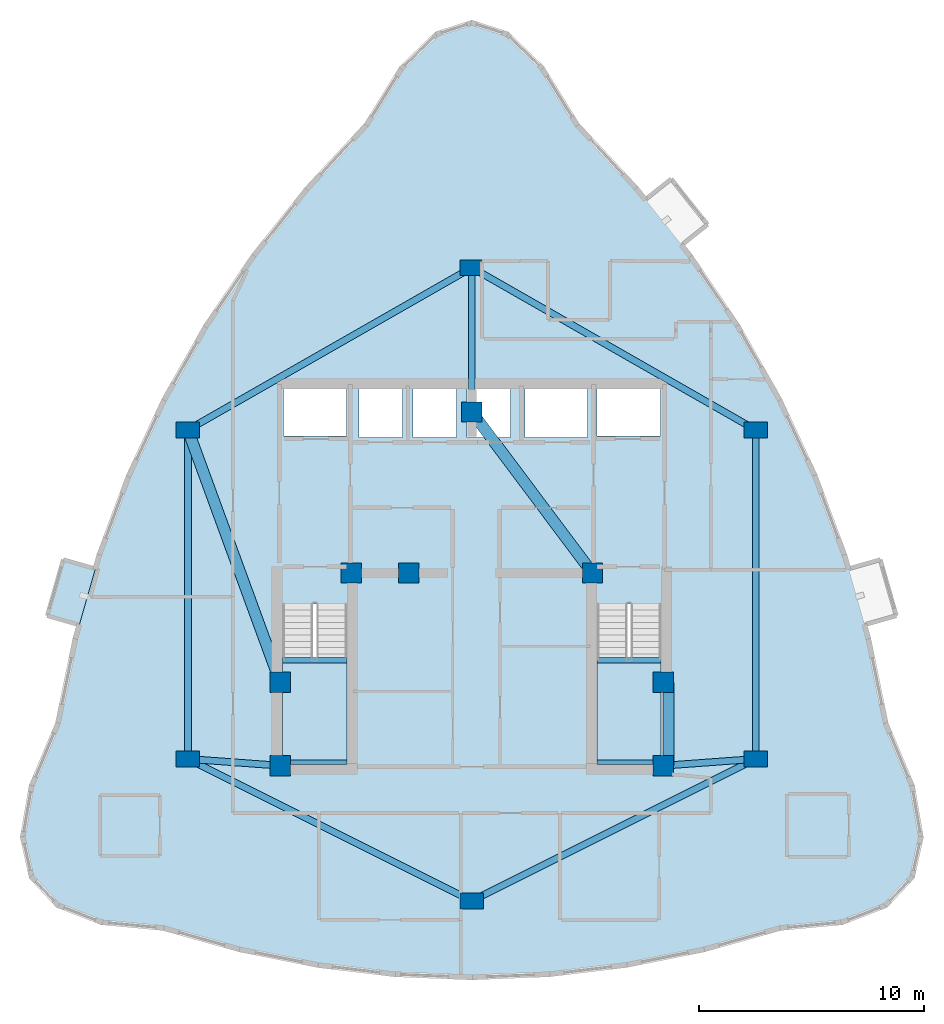
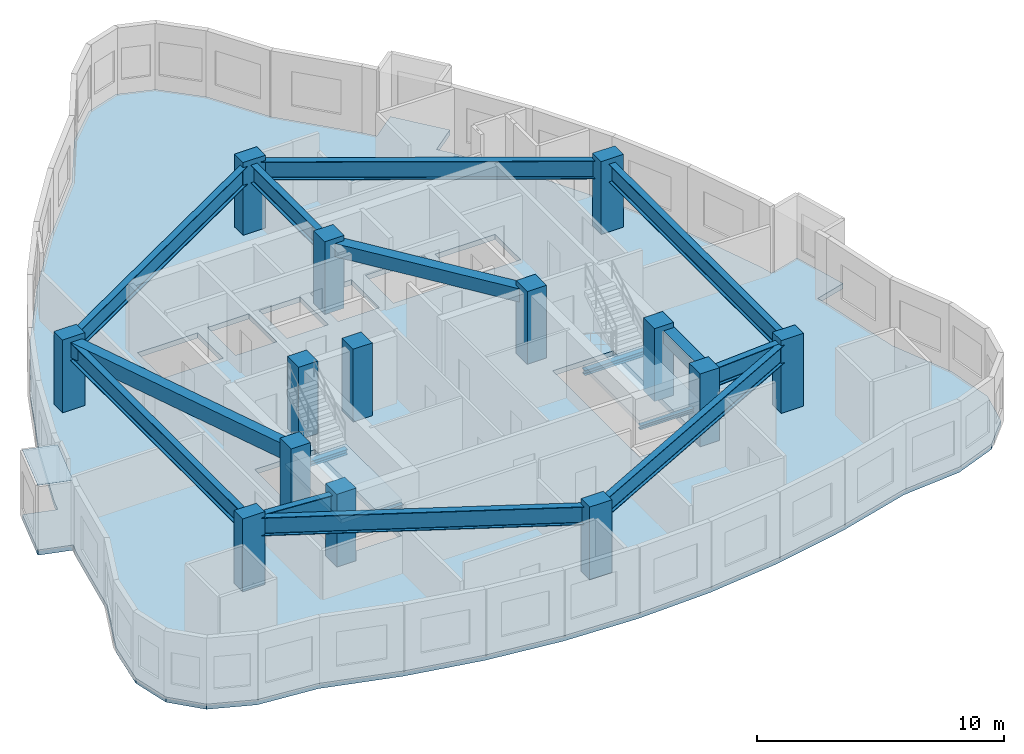
# One storey, part 1 of 8: 16 beams, 14 columns, 3 slabs, 1 plate, 2 elements without a shape of their own.
"""IFC4 building model written with IfcOpenShell, lengths in metres."""

from ifc_helpers import new_model, si_unit, direction, frame, origin, origin_2d, place, context, subcontext, project, spatial, polyline, rectangle, i_section, outline, extrude, material, layer, layer_set, material_profile, profile_set, type_object, element, aggregate, save


model = new_model("IFC4")

# Units and contexts
model_context = context("Model", 3, precision=1e-05, world=origin(), true_north=direction((0.0, 1.0)))
body_context = subcontext(model_context, "Body", "Model", "MODEL_VIEW")
ifc_project = project(units=[si_unit("LENGTHUNIT", "METRE"), si_unit("AREAUNIT", "SQUARE_METRE"), si_unit("VOLUMEUNIT", "CUBIC_METRE"), si_unit("PLANEANGLEUNIT", "RADIAN"), si_unit("MASSUNIT", "GRAM", prefix="KILO")], contexts=[model_context])

# Site, building, storey
site_placement = place(None, origin())
site = spatial("IfcSite", under=ifc_project, at=site_placement, CompositionType="ELEMENT")
building_placement = place(site_placement, origin())
building = spatial("IfcBuilding", under=site, at=building_placement, Name="Miruveldt Soraemaru", CompositionType="ELEMENT")
storey_placement = place(building_placement, frame((0.0, 0.0, 237.60009765625)))
storey = spatial("IfcBuildingStorey", under=building, at=storey_placement, Name="L65", CompositionType="ELEMENT", Elevation=237.60009765625)

# Columns
ifc_material_1 = material(Name="Concrete C50/60 (50 MPa)", Category="concrete")
ifc_material_profile_1 = material_profile(ifc_material_1, rectangle(XDim=0.89990234375, YDim=0.89990234375, at=origin_2d()), Name="Concrete C50/60 (50 MPa)", Category="concrete")
ifc_profile_set_1 = profile_set([ifc_material_profile_1], Name="Concrete C50/60 (50 MPa)")
column_type_1 = type_object("IfcColumnType", Name="COL-CORE-900", PredefinedType="COLUMN", material=ifc_profile_set_1)
for number, where, z_axis, x_axis, name in (
    (1, (35.5, 35.5, 0.0), (0.0, 0.0, 1.0), (1.0, 0.0, 0.0), "L65 Structural Column CC1"),
    (2, (38.64990234375, 44.050048828125, 0.0), (0.0, 0.0, 1.0), (1.0, 0.0, 0.0), "L65 Structural Column CC2"),
    (3, (52.5, 35.5, 0.0), (0.0, 0.0, 1.0), (1.0, 0.0, 0.0), "L65 Structural Column CC3"),
    (4, (52.5, 39.199951171875, 0.0), (0.0, 0.0, 1.0), (1.0, 0.0, 0.0), "L65 Structural Column CC4"),
    (5, (49.35009765625, 44.050048828125, 0.0), (0.0, 0.0, 1.0), (1.0, 0.0, 0.0), "L65 Structural Column CC5"),
    (6, (44.0, 51.199951171875, 0.0), (0.0, 0.0, 1.0), (1.0, 0.0, 0.0), "L65 Structural Column CC6"),
    (7, (35.5, 39.199951171875, 0.0), (0.0, 0.0, 1.0), (1.0, 0.0, 0.0), "L65 Structural Column CC7"),
    (8, (41.199951171875, 44.050048828125, 0.0), (0.0, 0.0, 1.0), (1.0, 0.0, 0.0), "L65 Structural Column CC8"),
):
    element("IfcColumn", number, at=place(storey_placement, frame(where, z_axis=z_axis, x_axis=x_axis)), inside=storey, type_object=column_type_1, Name=name, PredefinedType="COLUMN", context=body_context, shape_type="SweptSolid", body=[
        extrude(rectangle(XDim=0.89990234375, YDim=0.89990234375, at=origin_2d()), origin(), (0.0, 0.0, 1.0), 3.599853515625),
    ])
ifc_material_2 = material(Name="Concrete C60/75 (60 MPa)", Category="concrete")
ifc_material_profile_2 = material_profile(ifc_material_2, rectangle(XDim=1.050048828125, YDim=0.699951171875, at=origin_2d()), Name="Concrete C60/75 (60 MPa)", Category="concrete")
ifc_profile_set_2 = profile_set([ifc_material_profile_2], Name="Concrete C60/75 (60 MPa)")
column_type_2 = type_object("IfcColumnType", Name="COL-TW-Z3", PredefinedType="COLUMN", material=ifc_profile_set_2)
for number, where, z_axis, x_axis, name in (
    (9, (44.0, 57.60009765625, 0.0), (0.0, 0.0, 1.0), (1.0, 0.0, 0.0), "L65 Structural Column IR01"),
    (10, (56.60009765625, 50.39990234375, 0.0), (0.0, 0.0, 1.0), (1.0, 0.0, 0.0), "L65 Structural Column IR02"),
    (11, (56.60009765625, 35.800048828125, 0.0), (0.0, 0.0, 1.0), (1.0, 0.0, 0.0), "L65 Structural Column IR03"),
    (12, (44.0, 29.5, 0.0), (0.0, 0.0, 1.0), (1.0, 0.0, 0.0), "L65 Structural Column IR04"),
    (13, (31.39990234375, 35.800048828125, 0.0), (0.0, 0.0, 1.0), (1.0, 0.0, 0.0), "L65 Structural Column IR05"),
    (14, (31.39990234375, 50.39990234375, 0.0), (0.0, 0.0, 1.0), (1.0, 0.0, 0.0), "L65 Structural Column IR06"),
):
    element("IfcColumn", number, at=place(storey_placement, frame(where, z_axis=z_axis, x_axis=x_axis)), inside=storey, type_object=column_type_2, Name=name, PredefinedType="COLUMN", context=body_context, shape_type="SweptSolid", body=[
        extrude(rectangle(XDim=1.050048828125, YDim=0.699951171875, at=origin_2d()), origin(), (0.0, 0.0, 1.0), 3.599853515625),
    ])

# Beams
ifc_material_profile_3 = material_profile(ifc_material_1, rectangle(XDim=0.5, YDim=0.64990234375, at=origin_2d()), Name="Concrete C50/60 (50 MPa)", Category="concrete")
ifc_profile_set_3 = profile_set([ifc_material_profile_3], Name="Concrete C50/60 (50 MPa)")
beam_type_1 = type_object("IfcBeamType", Name="BM-RC-500x650", PredefinedType="BEAM", material=ifc_profile_set_3)
beam_1_placement = place(storey_placement, frame((52.72998046875, 35.5, 3.02001953125), z_axis=(0.0, 1.0, 0.0), x_axis=(-1.0, 0.0, 0.0)))
element("IfcBeam", 15, at=beam_1_placement, inside=storey, type_object=beam_type_1, Name="L65 Core Tie Beam 3", PredefinedType="BEAM", context=body_context, shape_type="SweptSolid", body=[
    extrude(rectangle(XDim=0.5, YDim=0.64990234375, at=origin_2d()), origin(), (0.0, 0.0, 1.0), 3.699951171875),
])
beam_2_placement = place(storey_placement, frame((49.35009765625, 44.050048828125, 3.02001953125), z_axis=(-0.599116023999, 0.800662219533, 0.0), x_axis=(-0.800662219533, -0.599116023999, 0.0)))
element("IfcBeam", 16, at=beam_2_placement, inside=storey, type_object=beam_type_1, Name="L65 Core Tie Beam 5", PredefinedType="BEAM", context=body_context, shape_type="SweptSolid", body=[
    extrude(rectangle(XDim=0.5, YDim=0.64990234375, at=origin_2d()), origin(), (0.0, 0.0, 1.0), 8.929931640625),
])
ifc_material_3 = material(Name="Concrete C40/50 (40 MPa)", Category="concrete")
ifc_material_profile_4 = material_profile(ifc_material_3, rectangle(XDim=0.5, YDim=0.75, at=origin_2d()), Name="Concrete C40/50 (40 MPa)", Category="concrete")
ifc_profile_set_4 = profile_set([ifc_material_profile_4], Name="Concrete C40/50 (40 MPa)")
beam_type_2 = type_object("IfcBeamType", Name="BM-RC-500x750", PredefinedType="LINTEL", material=ifc_profile_set_4)
beam_3_placement = place(storey_placement, frame((31.39990234375, 50.39990234375, 2.969970703125), z_axis=(0.343770424598, -0.939053723262, 0.0), x_axis=(0.939053723262, 0.343770424598, 0.0)))
element("IfcBeam", 17, at=beam_3_placement, inside=storey, type_object=beam_type_2, Name="L65 West Lobby Lintel", PredefinedType="LINTEL", context=body_context, shape_type="SweptSolid", body=[
    extrude(rectangle(XDim=0.5, YDim=0.75, at=origin_2d()), origin(), (0.0, 0.0, 1.0), 11.9267578125),
])
ifc_material_4 = material(Name="Steel S460 (460 MPa)", Category="steel")
ifc_material_profile_5 = material_profile(ifc_material_4, i_section(OverallWidth=0.300048828125, OverallDepth=0.89990234375, WebThickness=0.01611328125, FlangeThickness=0.028076171875, FilletRadius=0.028076171875, at=origin_2d()), Name="Steel S460 (460 MPa)", Category="steel")
ifc_profile_set_5 = profile_set([ifc_material_profile_5], Name="Steel S460 (460 MPa)")
beam_type_3 = type_object("IfcBeamType", Name="BM-ST-H900", PredefinedType="BEAM", material=ifc_profile_set_5)
beam_4_placement = place(storey_placement, frame((44.0, 57.60009765625, 2.89501953125), z_axis=(0.868239001029, -0.496146185203, 0.0), x_axis=(0.496146185203, 0.868239001029, 0.0)))
element("IfcBeam", 18, at=beam_4_placement, inside=storey, type_object=beam_type_3, Name="L65 Inner Ring Girder 1", PredefinedType="BEAM", context=body_context, shape_type="SweptSolid", body=[
    extrude(i_section(OverallWidth=0.300048828125, OverallDepth=0.89990234375, WebThickness=0.01611328125, FlangeThickness=0.028076171875, FilletRadius=0.028076171875, at=origin_2d()), origin(), (0.0, 0.0, 1.0), 14.51220703125),
])
beam_5_placement = place(storey_placement, frame((44.0, 51.199951171875, 2.89501953125), z_axis=(0.0, 1.0, 0.0), x_axis=(-1.0, 0.0, 0.0)))
element("IfcBeam", 19, at=beam_5_placement, inside=storey, type_object=beam_type_3, Name="L65 Core-to-Inner Radial Girder 1", PredefinedType="BEAM", context=body_context, shape_type="SweptSolid", body=[
    extrude(i_section(OverallWidth=0.300048828125, OverallDepth=0.89990234375, WebThickness=0.01611328125, FlangeThickness=0.028076171875, FilletRadius=0.028076171875, at=origin_2d()), origin(), (0.0, 0.0, 1.0), 6.400146484375),
])
beam_6_placement = place(storey_placement, frame((56.60009765625, 50.39990234375, 2.89501953125), z_axis=(0.0, -1.0, 0.0), x_axis=(1.0, 0.0, 0.0)))
element("IfcBeam", 20, at=beam_6_placement, inside=storey, type_object=beam_type_3, Name="L65 Inner Ring Girder 2", PredefinedType="BEAM", context=body_context, shape_type="SweptSolid", body=[
    extrude(i_section(OverallWidth=0.300048828125, OverallDepth=0.89990234375, WebThickness=0.01611328125, FlangeThickness=0.028076171875, FilletRadius=0.028076171875, at=origin_2d()), origin(), (0.0, 0.0, 1.0), 14.599853515625),
])
beam_7_placement = place(storey_placement, frame((56.60009765625, 35.800048828125, 2.89501953125), z_axis=(-0.894427191, -0.4472135955, 0.0), x_axis=(0.4472135955, -0.894427191, 0.0)))
element("IfcBeam", 21, at=beam_7_placement, inside=storey, type_object=beam_type_3, Name="L65 Inner Ring Girder 3", PredefinedType="BEAM", context=body_context, shape_type="SweptSolid", body=[
    extrude(i_section(OverallWidth=0.300048828125, OverallDepth=0.89990234375, WebThickness=0.01611328125, FlangeThickness=0.028076171875, FilletRadius=0.028076171875, at=origin_2d()), origin(), (0.0, 0.0, 1.0), 14.08740234375),
])
beam_8_placement = place(storey_placement, frame((52.5, 35.5, 2.89501953125), z_axis=(0.997332985605, 0.072985723431, 0.0), x_axis=(-0.072985723431, 0.997332985605, 0.0)))
element("IfcBeam", 22, at=beam_8_placement, inside=storey, type_object=beam_type_3, Name="L65 Core-to-Inner Radial Girder 3", PredefinedType="BEAM", context=body_context, shape_type="SweptSolid", body=[
    extrude(i_section(OverallWidth=0.300048828125, OverallDepth=0.89990234375, WebThickness=0.01611328125, FlangeThickness=0.028076171875, FilletRadius=0.028076171875, at=origin_2d()), origin(), (0.0, 0.0, 1.0), 4.111083984375),
])
beam_9_placement = place(storey_placement, frame((44.0, 29.5, 2.89501953125), z_axis=(-0.894427191, 0.4472135955, 0.0), x_axis=(-0.4472135955, -0.894427191, 0.0)))
element("IfcBeam", 23, at=beam_9_placement, inside=storey, type_object=beam_type_3, Name="L65 Inner Ring Girder 4", PredefinedType="BEAM", context=body_context, shape_type="SweptSolid", body=[
    extrude(i_section(OverallWidth=0.300048828125, OverallDepth=0.89990234375, WebThickness=0.01611328125, FlangeThickness=0.028076171875, FilletRadius=0.028076171875, at=origin_2d()), origin(), (0.0, 0.0, 1.0), 14.08740234375),
])
beam_10_placement = place(storey_placement, frame((31.39990234375, 35.800048828125, 2.89501953125), z_axis=(0.0, 1.0, 0.0), x_axis=(-1.0, 0.0, 0.0)))
element("IfcBeam", 24, at=beam_10_placement, inside=storey, type_object=beam_type_3, Name="L65 Inner Ring Girder 5", PredefinedType="BEAM", context=body_context, shape_type="SweptSolid", body=[
    extrude(i_section(OverallWidth=0.300048828125, OverallDepth=0.89990234375, WebThickness=0.01611328125, FlangeThickness=0.028076171875, FilletRadius=0.028076171875, at=origin_2d()), origin(), (0.0, 0.0, 1.0), 14.599853515625),
])
beam_11_placement = place(storey_placement, frame((35.5, 35.5, 2.89501953125), z_axis=(-0.997332985605, 0.072985723431, 0.0), x_axis=(-0.072985723431, -0.997332985605, 0.0)))
element("IfcBeam", 25, at=beam_11_placement, inside=storey, type_object=beam_type_3, Name="L65 Core-to-Inner Radial Girder 5", PredefinedType="BEAM", context=body_context, shape_type="SweptSolid", body=[
    extrude(i_section(OverallWidth=0.300048828125, OverallDepth=0.89990234375, WebThickness=0.01611328125, FlangeThickness=0.028076171875, FilletRadius=0.028076171875, at=origin_2d()), origin(), (0.0, 0.0, 1.0), 4.111083984375),
])
beam_12_placement = place(storey_placement, frame((31.39990234375, 50.39990234375, 2.89501953125), z_axis=(0.868239001029, 0.496146185203, 0.0), x_axis=(-0.496146185203, 0.868239001029, 0.0)))
element("IfcBeam", 26, at=beam_12_placement, inside=storey, type_object=beam_type_3, Name="L65 Inner Ring Girder 6", PredefinedType="BEAM", context=body_context, shape_type="SweptSolid", body=[
    extrude(i_section(OverallWidth=0.300048828125, OverallDepth=0.89990234375, WebThickness=0.01611328125, FlangeThickness=0.028076171875, FilletRadius=0.028076171875, at=origin_2d()), origin(), (0.0, 0.0, 1.0), 14.51220703125),
])
ifc_material_5 = material(Name="Steel SM355 (355 MPa)", Category="steel")
ifc_material_profile_6 = material_profile(ifc_material_5, i_section(OverallWidth=0.199951171875, OverallDepth=0.199951171875, WebThickness=0.008056640625, FlangeThickness=0.011962890625, FilletRadius=0.012939453125, at=origin_2d()), Name="Steel SM355 (355 MPa)", Category="steel")
ifc_profile_set_6 = profile_set([ifc_material_profile_6], Name="Steel SM355 (355 MPa)")
beam_type_4 = type_object("IfcBeamType", Name="BM-ST-LND200", PredefinedType="BEAM", material=ifc_profile_set_6)
for number, where, z_axis, x_axis, name in (
    (27, (35.60009765625, 35.64990234375, 1.5), (1.0, 0.0, 0.0), (0.0, 1.0, 0.0), "L65 ST1 Landing End Beam 1B"),
    (28, (49.550048828125, 35.64990234375, 1.5), (1.0, 0.0, 0.0), (0.0, 1.0, 0.0), "L65 ST2 Landing End Beam 1B"),
):
    element("IfcBeam", number, at=place(storey_placement, frame(where, z_axis=z_axis, x_axis=x_axis)), inside=storey, type_object=beam_type_4, Name=name, PredefinedType="BEAM", context=body_context, shape_type="SweptSolid", body=[
        extrude(i_section(OverallWidth=0.199951171875, OverallDepth=0.199951171875, WebThickness=0.008056640625, FlangeThickness=0.011962890625, FilletRadius=0.012939453125, at=origin_2d()), origin(), (0.0, 0.0, 1.0), 2.849853515625),
    ])
ifc_material_profile_7 = material_profile(ifc_material_5, i_section(OverallWidth=0.25, OverallDepth=0.25, WebThickness=0.009033203125, FlangeThickness=0.013916015625, FilletRadius=0.01611328125, at=origin_2d()), Name="Steel SM355 (355 MPa)", Category="steel")
ifc_profile_set_7 = profile_set([ifc_material_profile_7], Name="Steel SM355 (355 MPa)")
beam_type_5 = type_object("IfcBeamType", Name="BM-ST-LND250", PredefinedType="BEAM", material=ifc_profile_set_7)
for number, where, z_axis, x_axis, name in (
    (29, (35.60009765625, 40.179931640625, 1.474853515625), (1.0, 0.0, 0.0), (0.0, 1.0, 0.0), "L65 ST1 Landing Support Beam 1A"),
    (30, (49.550048828125, 40.179931640625, 1.474853515625), (1.0, 0.0, 0.0), (0.0, 1.0, 0.0), "L65 ST2 Landing Support Beam 1A"),
):
    element("IfcBeam", number, at=place(storey_placement, frame(where, z_axis=z_axis, x_axis=x_axis)), inside=storey, type_object=beam_type_5, Name=name, PredefinedType="BEAM", context=body_context, shape_type="SweptSolid", body=[
        extrude(i_section(OverallWidth=0.25, OverallDepth=0.25, WebThickness=0.009033203125, FlangeThickness=0.013916015625, FilletRadius=0.01611328125, at=origin_2d()), origin(), (0.0, 0.0, 1.0), 2.849853515625),
    ])

# Plate
ifc_material_6 = material(Name="Standing-seam titanium-zinc sheet", Category="aluminium")
ifc_layer_1 = layer(ifc_material_6, 0.011962890625, Name="Standing-seam titanium-zinc sheet", Category="aluminium")
ifc_layer_set_1 = layer_set([ifc_layer_1], Name="Standing-seam titanium-zinc sheet")
plate_type = type_object("IfcPlateType", Name="PLT-ZINC-12", PredefinedType="SHEET", material=ifc_layer_set_1)
plate_placement = place(storey_placement, frame((0.0, 0.0, 3.19482421875)))
element("IfcPlate", 31, at=plate_placement, inside=storey, type_object=plate_type, Name="L65 Bay Window Zinc Hood Sheet 1", PredefinedType="SHEET", context=body_context, shape_type="SweptSolid", body=[
    extrude(outline(polyline([(27.293701171875, 44.238525390625), (26.5810546875, 41.746337890625), (25.158203125, 42.1533203125), (25.870849609375, 44.6455078125), (27.293701171875, 44.238525390625)])), origin(), (0.0, 0.0, 1.0), 0.011962890625),
])

# Stair, slab
stair_type = type_object("IfcStairType", Name="STAIR-DL-360", PredefinedType="HALF_TURN_STAIR", material=ifc_material_3)
stair_1_placement = place(storey_placement, origin())
stair_1 = element("IfcStair", 32, at=stair_1_placement, inside=storey, type_object=stair_type, Name="L65 Protected Exit Stair ST-1", PredefinedType="HALF_TURN_STAIR")
ifc_layer_2 = layer(ifc_material_3, 0.199951171875, Name="Concrete C40/50 (40 MPa)", Category="concrete")
ifc_layer_set_2 = layer_set([ifc_layer_2], Name="Concrete C40/50 (40 MPa)")
slab_type_1 = type_object("IfcSlabType", Name="SLAB-LAND-200", PredefinedType="LANDING", material=ifc_layer_set_2)
slab_1_placement = place(storey_placement, frame((0.0, 0.0, 1.599853515625)))
slab_1 = element("IfcSlab", 33, at=slab_1_placement, type_object=slab_type_1, Name="ST-1 landing 1", PredefinedType="LANDING", context=body_context, shape_type="SweptSolid", body=[
    extrude(outline(polyline([(35.60009765625, 40.197998046875), (35.60009765625, 35.64990234375), (38.449951171875, 35.64990234375), (38.449951171875, 40.197998046875), (35.60009765625, 40.197998046875)])), origin(), (0.0, 0.0, 1.0), 0.199951171875),
])
aggregate(stair_1, [slab_1])

stair_2_placement = place(storey_placement, origin())
stair_2 = element("IfcStair", 34, at=stair_2_placement, inside=storey, type_object=stair_type, Name="L65 Protected Exit Stair ST-2", PredefinedType="HALF_TURN_STAIR")
slab_2_placement = place(storey_placement, frame((0.0, 0.0, 1.599853515625)))
slab_2 = element("IfcSlab", 35, at=slab_2_placement, type_object=slab_type_1, Name="ST-2 landing 1", PredefinedType="LANDING", context=body_context, shape_type="SweptSolid", body=[
    extrude(outline(polyline([(49.550048828125, 40.197998046875), (49.550048828125, 35.64990234375), (52.39990234375, 35.64990234375), (52.39990234375, 40.197998046875), (49.550048828125, 40.197998046875)])), origin(), (0.0, 0.0, 1.0), 0.199951171875),
])
aggregate(stair_2, [slab_2])

# Slab
ifc_layer_3 = layer(ifc_material_3, 0.2548828125, Name="Concrete C40/50 (40 MPa)", Category="concrete")
ifc_layer_set_3 = layer_set([ifc_layer_3], Name="Concrete C40/50 (40 MPa)")
slab_type_2 = type_object("IfcSlabType", Name="SLAB-RES3-255", PredefinedType="FLOOR", material=ifc_layer_set_3)
slab_3_placement = place(storey_placement, frame((0.0, 0.0, -0.255126953125)))
element("IfcSlab", 36, at=slab_3_placement, inside=storey, type_object=slab_type_2, Name="L65 Structural Floor Slab", PredefinedType="FLOOR", context=body_context, shape_type="SweptSolid", body=[
    extrude(outline(polyline([(25.870849609375, 44.6455078125), (27.293701171875, 44.238525390625), (27.46142578125, 44.824951171875), (28.775634765625, 48.35302734375), (30.35546875, 51.744140625), (32.201171875, 54.998291015625), (34.3125, 58.115234375), (36.689697265625, 61.09521484375), (39.3330078125, 63.938232421875), (40.888671875, 66.453125), (42.4443359375, 67.962158203125), (44.0, 68.465087890625), (45.5556640625, 67.962158203125), (47.111328125, 66.453125), (48.6669921875, 63.938232421875), (51.310302734375, 61.09521484375), (51.690673828125, 60.618408203125), (52.84765625, 61.541259765625), (54.464111328125, 59.51513671875), (53.30712890625, 58.592041015625), (52.498779296875, 59.605224609375), (53.6875, 58.115234375), (55.798828125, 54.998291015625), (57.64453125, 51.744140625), (59.224365234375, 48.35302734375), (60.53857421875, 44.824951171875), (60.706298828125, 44.238525390625), (62.129150390625, 44.6455078125), (62.841796875, 42.1533203125), (61.4189453125, 41.746337890625), (61.0625, 42.992431640625), (61.586669921875, 41.159912109375), (62.369140625, 37.35791015625), (63.535888671875, 34.59130859375), (63.9248046875, 32.327880859375), (63.535888671875, 30.5673828125), (62.369140625, 29.31005859375), (60.424560546875, 28.555419921875), (57.701904296875, 28.303955078125), (54.276611328125, 27.344970703125), (50.85107421875, 26.659912109375), (47.425537109375, 26.248779296875), (44.0, 26.11181640625), (40.574462890625, 26.248779296875), (37.14892578125, 26.659912109375), (33.723388671875, 27.344970703125), (30.298095703125, 28.303955078125), (27.575439453125, 28.555419921875), (25.630859375, 29.31005859375), (24.464111328125, 30.5673828125), (24.0751953125, 32.327880859375), (24.464111328125, 34.59130859375), (25.630859375, 37.35791015625), (26.413330078125, 41.159912109375), (26.9375, 42.992431640625), (26.5810546875, 41.746337890625), (25.158203125, 42.1533203125), (25.870849609375, 44.6455078125)]), holes=[polyline([(35.614990234375, 35.6650390625), (38.43505859375, 35.6650390625), (38.43505859375, 42.68505859375), (35.614990234375, 42.68505859375), (35.614990234375, 35.6650390625)]), polyline([(49.56494140625, 35.6650390625), (52.385009765625, 35.6650390625), (52.385009765625, 42.68505859375), (49.56494140625, 42.68505859375), (49.56494140625, 35.6650390625)]), polyline([(38.445068359375, 50.135009765625), (38.445068359375, 52.205078125), (35.635009765625, 52.205078125), (35.635009765625, 50.135009765625), (38.445068359375, 50.135009765625)]), polyline([(52.364990234375, 50.135009765625), (52.364990234375, 52.205078125), (49.554931640625, 52.205078125), (49.554931640625, 50.135009765625), (52.364990234375, 50.135009765625)]), polyline([(40.9150390625, 50.06494140625), (40.9150390625, 52.3349609375), (38.985107421875, 52.3349609375), (38.985107421875, 50.06494140625), (40.9150390625, 50.06494140625)]), polyline([(43.31494140625, 50.06494140625), (43.31494140625, 52.3349609375), (41.385009765625, 52.3349609375), (41.385009765625, 50.06494140625), (43.31494140625, 50.06494140625)]), polyline([(45.715087890625, 50.06494140625), (45.715087890625, 52.3349609375), (43.784912109375, 52.3349609375), (43.784912109375, 50.06494140625), (45.715087890625, 50.06494140625)]), polyline([(49.135009765625, 50.06494140625), (49.135009765625, 52.3349609375), (46.364990234375, 52.3349609375), (46.364990234375, 50.06494140625), (49.135009765625, 50.06494140625)])]), origin(), (0.0, 0.0, 1.0), 0.255126953125),
])

save(model, "model.ifc")
